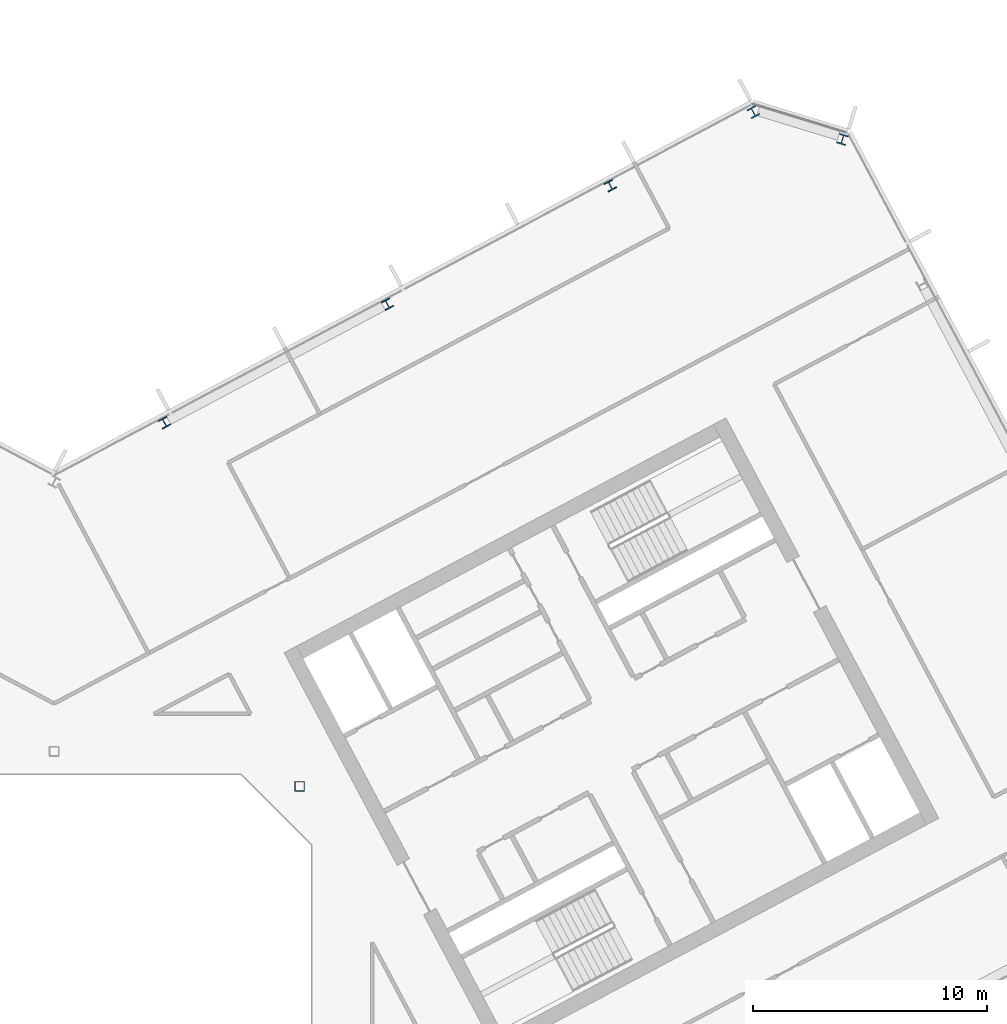
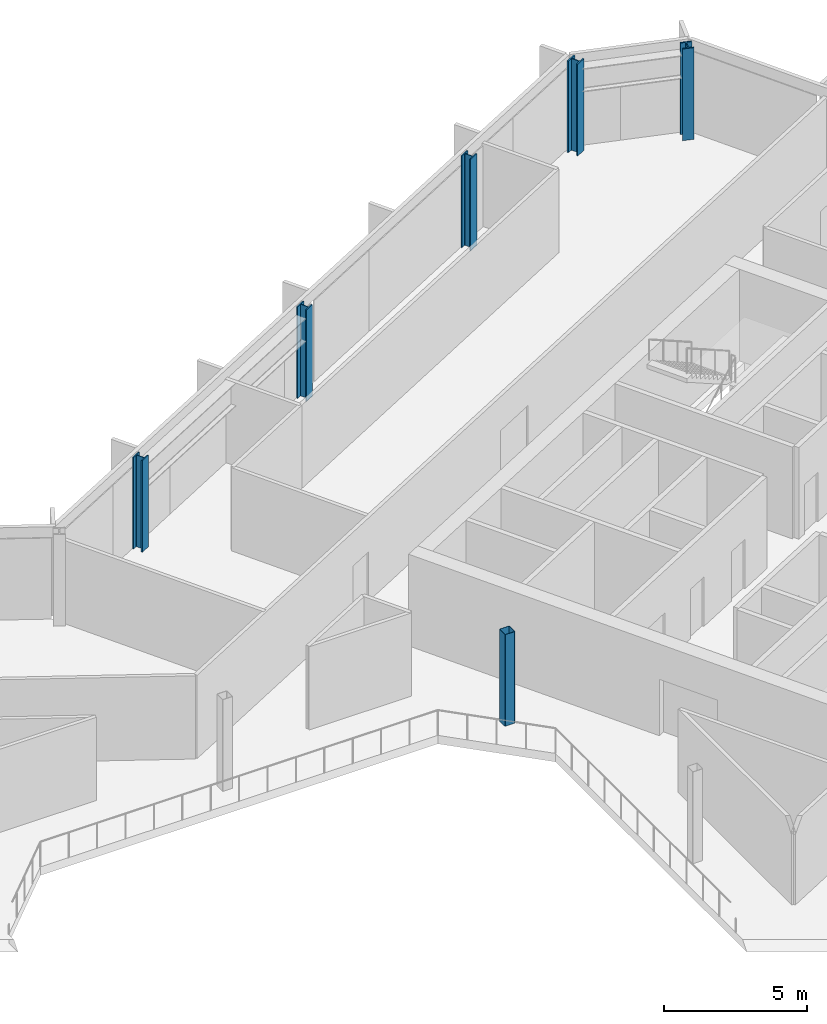
# One storey, part 6 of 26: 6 columns.
"""IFC4 building model written with IfcOpenShell, lengths in metres."""

import ifcopenshell
import ifcopenshell.guid

model = None  # the IFC model being written
_history = None  # IfcOwnerHistory: only IFC2X3 demands one
_inside = {}  # id of a spatial element -> (the spatial element, [elements in it])
_under = {}  # id of a project, library or spatial element -> (it, [spatial elements below it])
_declared = {}  # id of a project -> (the project, [libraries it declares])
_typed = {}  # id of a type object -> (the type object, [elements of that type])
_made_of = {}  # id of a material, layer set ... -> (it, [elements and type objects made of it])


def new_model(schema):
    """Start an empty IFC model of exactly this schema.

    Asked for "IFC4X3", IfcOpenShell would pick the latest addendum, in which some entities
    have other attributes; the version numbers below select the first issue.
    IFC2X3 requires an IfcOwnerHistory on every rooted entity: one is made here for all.
    """
    global model, _history
    if schema == "IFC4X3":
        model = ifcopenshell.file(schema_version=(4, 3, 0, 0))
    else:
        model = ifcopenshell.file(schema=schema)
    _inside.clear()
    _under.clear()
    _declared.clear()
    _typed.clear()
    _made_of.clear()
    _history = None
    if model.schema == "IFC2X3":
        org = make("IfcOrganization", Name="unknown")
        user = make(
            "IfcPersonAndOrganization",
            ThePerson=make("IfcPerson", FamilyName="unknown"),
            TheOrganization=org,
        )
        app = make(
            "IfcApplication",
            ApplicationDeveloper=org,
            Version="unknown",
            ApplicationFullName="unknown",
            ApplicationIdentifier="unknown",
        )
        _history = make(
            "IfcOwnerHistory",
            OwningUser=user,
            OwningApplication=app,
            ChangeAction="ADDED",
            CreationDate=0,
        )
    return model


def make(cls, **values):
    """One entity of the class cls with the attributes given. An attribute that is None is left unset."""
    return model.create_entity(
        cls, **{name: value for name, value in values.items() if value is not None}
    )


def rooted(cls, **values):
    """An entity with a GlobalId (a new one), such as an element, a storey or a relation."""
    return make(cls, GlobalId=ifcopenshell.guid.new(), OwnerHistory=_history, **values)


def si_unit(unit_type, name, prefix=None):
    """IfcSIUnit, for example si_unit("LENGTHUNIT", "METRE", prefix="MILLI")."""
    return make("IfcSIUnit", UnitType=unit_type, Prefix=prefix, Name=name)


def assignment(units):
    """IfcUnitAssignment: the units of a project."""
    return None if units is None else make("IfcUnitAssignment", Units=units)


def point(xyz):
    """IfcCartesianPoint."""
    return None if xyz is None else make("IfcCartesianPoint", Coordinates=xyz)


def direction(xyz):
    """IfcDirection."""
    return None if xyz is None else make("IfcDirection", DirectionRatios=xyz)


def frame(location, z_axis=None, x_axis=None):
    """IfcAxis2Placement3D, a coordinate frame: its origin and axes. An axis left out is left unset."""
    return make(
        "IfcAxis2Placement3D",
        Location=point(location),
        Axis=direction(z_axis),
        RefDirection=direction(x_axis),
    )


def frame_2d(location, x_axis=None):
    """IfcAxis2Placement2D, a coordinate frame in the plane: its origin and x axis."""
    return make(
        "IfcAxis2Placement2D", Location=point(location), RefDirection=direction(x_axis)
    )


def origin():
    """The frame at (0, 0, 0) with its axes left unset."""
    return frame((0.0, 0.0, 0.0))


def origin_2d():
    """The frame at (0, 0) in the plane with its x axis left unset."""
    return frame_2d((0.0, 0.0))


def place(relative_to, where):
    """IfcLocalPlacement: puts the frame where relative to a parent placement (None: the world)."""
    return make(
        "IfcLocalPlacement", PlacementRelTo=relative_to, RelativePlacement=where
    )


def context(
    kind, dimensions, precision=None, world=None, true_north=None, identifier=None
):
    """IfcGeometricRepresentationContext, for example the 3D "Model" context."""
    return make(
        "IfcGeometricRepresentationContext",
        ContextIdentifier=identifier,
        ContextType=kind,
        CoordinateSpaceDimension=dimensions,
        Precision=precision,
        WorldCoordinateSystem=world,
        TrueNorth=true_north,
    )


def subcontext(parent, identifier, kind, view, scale=None):
    """IfcGeometricRepresentationSubContext, for example "Body" below "Model"."""
    return make(
        "IfcGeometricRepresentationSubContext",
        ContextIdentifier=identifier,
        ContextType=kind,
        ParentContext=parent,
        TargetScale=scale,
        TargetView=view,
    )


def project(units=None, contexts=None):
    """IfcProject with its units and contexts."""
    return rooted(
        "IfcProject",
        Name="project",
        RepresentationContexts=contexts,
        UnitsInContext=assignment(units),
    )


def spatial(cls, under=None, at=None, **own):
    """A site, building, storey or space (cls), placed at a placement, below another one or the project."""
    s = rooted(cls, ObjectPlacement=at, **own)
    if under is not None:
        _under.setdefault(under.id(), (under, []))[1].append(s)
    return s


def profile(cls, at=None, kind="AREA", **sizes):
    """A parametric profile (cls). Its sizes go by their IFC names, for example OverallWidth=200.0."""
    return make(cls, ProfileType=kind, Position=at, **sizes)


def hollow_rectangle(**sizes):
    """IfcRectangleHollowProfileDef."""
    return profile("IfcRectangleHollowProfileDef", **sizes)


def i_section(**sizes):
    """IfcIShapeProfileDef."""
    return profile("IfcIShapeProfileDef", **sizes)


def extrude(swept, where, along, depth):
    """IfcExtrudedAreaSolid: the profile swept, set in the frame where, extruded along a direction by depth."""
    return make(
        "IfcExtrudedAreaSolid",
        SweptArea=swept,
        Position=where,
        ExtrudedDirection=direction(along),
        Depth=depth,
    )


def shape(context_of_items, identifier, shape_type, items):
    """IfcShapeRepresentation: the items that make up one representation, for example the "Body"."""
    return make(
        "IfcShapeRepresentation",
        ContextOfItems=context_of_items,
        RepresentationIdentifier=identifier,
        RepresentationType=shape_type,
        Items=items,
    )


def material(Name=None, Category=None):
    """IfcMaterial."""
    return make("IfcMaterial", Name=Name, Category=Category)


def material_profile(
    of_material, cross_section, Name=None, Category=None, Priority=None
):
    """IfcMaterialProfile: a cross section and its material."""
    return make(
        "IfcMaterialProfile",
        Name=Name,
        Material=of_material,
        Profile=cross_section,
        Priority=Priority,
        Category=Category,
    )


def profile_set(profiles, Name=None, composite=None):
    """IfcMaterialProfileSet."""
    return make(
        "IfcMaterialProfileSet",
        Name=Name,
        MaterialProfiles=profiles,
        CompositeProfile=composite,
    )


def made_of(thing, what):
    """Note that an element or type object is made of a material, layer set ...; save() writes the relation."""
    if what is not None:
        _made_of.setdefault(what.id(), (what, []))[1].append(thing)
    return thing


def type_object(cls, material=None, **own):
    """A type object (cls), such as IfcWallType, which elements share."""
    return made_of(rooted(cls, **own), material)


def element(
    cls,
    number,
    at=None,
    inside=None,
    cuts=None,
    type_object=None,
    material=None,
    context=None,
    identifier="Body",
    shape_type=None,
    held_by="IfcProductDefinitionShape",
    body=None,
    shapes=None,
    **own,
):
    """One element of the class cls, such as IfcWall. Its Tag is "e" and its number.

    at: its placement. inside: the storey or other place that contains it. cuts: it is an
    opening in that element (IfcRelVoidsElement). A single representation is given by context,
    identifier, shape_type and body (its items); several are given by shapes. held_by: the class
    of the entity that holds the representations. save() writes the other relations.
    """
    e = rooted(cls, Tag="e%d" % number, ObjectPlacement=at, **own)
    if body is not None:
        shapes = [shape(context, identifier, shape_type, body)]
    if shapes is not None:
        e.Representation = make(held_by, Representations=shapes)
    if inside is not None:
        _inside.setdefault(inside.id(), (inside, []))[1].append(e)
    if cuts is not None:
        rooted(
            "IfcRelVoidsElement", RelatingBuildingElement=cuts, RelatedOpeningElement=e
        )
    if type_object is not None:
        _typed.setdefault(type_object.id(), (type_object, []))[1].append(e)
    return made_of(e, material)


def aggregate(whole, parts):
    """IfcRelAggregates: a whole, such as a stair, and the parts it consists of."""
    return rooted("IfcRelAggregates", RelatingObject=whole, RelatedObjects=parts)


def save(model, path):
    """Write the relations noted so far, then the file.

    IfcRelAggregates (storeys below a building ...), IfcRelContainedInSpatialStructure (elements
    in a storey), IfcRelDefinesByType, IfcRelAssociatesMaterial and IfcRelDeclares: one each for
    every whole, place, type object, material and project.
    """
    for whole, parts in _under.values():
        aggregate(whole, parts)
    for where, things in _inside.values():
        rooted(
            "IfcRelContainedInSpatialStructure",
            RelatedElements=things,
            RelatingStructure=where,
        )
    for kind, things in _typed.values():
        rooted("IfcRelDefinesByType", RelatedObjects=things, RelatingType=kind)
    for what, things in _made_of.values():
        rooted("IfcRelAssociatesMaterial", RelatedObjects=things, RelatingMaterial=what)
    for by, libraries in _declared.values():
        rooted("IfcRelDeclares", RelatingContext=by, RelatedDefinitions=libraries)
    model.write(path)


model = new_model("IFC4")

# Units and contexts
model_context = context("Model", 3, precision=1e-05, world=origin(), true_north=direction((0.0, 1.0)))
body_context = subcontext(model_context, "Body", "Model", "MODEL_VIEW")
ifc_project = project(units=[si_unit("LENGTHUNIT", "METRE"), si_unit("AREAUNIT", "SQUARE_METRE"), si_unit("VOLUMEUNIT", "CUBIC_METRE"), si_unit("PLANEANGLEUNIT", "RADIAN"), si_unit("MASSUNIT", "GRAM", prefix="KILO")], contexts=[model_context])

# Site, building, storey
site_placement = place(None, origin())
site = spatial("IfcSite", under=ifc_project, at=site_placement, CompositionType="ELEMENT")
building_placement = place(site_placement, origin())
building = spatial("IfcBuilding", under=site, at=building_placement, Name="Cormorant Relay Tower", CompositionType="ELEMENT")
storey_placement = place(building_placement, frame((0.0, 0.0, 236.39990234375)))
storey = spatial("IfcBuildingStorey", under=building, at=storey_placement, Name="L52", CompositionType="ELEMENT", Elevation=236.39990234375)

# Columns
ifc_material_1 = material(Name="Steel ASTM A500 Grade C (Fy 345 MPa)", Category="steel")
ifc_material_profile_1 = material_profile(ifc_material_1, hollow_rectangle(XDim=0.406494140625, YDim=0.406494140625, WallThickness=0.0146484375, InnerFilletRadius=0.00732421875, OuterFilletRadius=0.022216796875, at=origin_2d()), Name="HSS406x406x15")
ifc_profile_set_1 = profile_set([ifc_material_profile_1], Name="Steel ASTM A500 Grade C (Fy 345 MPa)")
column_type_1 = type_object("IfcColumnType", Name="Column HSS406x406x15", PredefinedType="COLUMN", material=ifc_profile_set_1)
column_placement = place(storey_placement, frame((10.5, 10.5, 0.0), z_axis=(0.0, 0.0, 1.0), x_axis=(1.0, 0.0, 0.0)))
element("IfcColumn", 1, at=column_placement, inside=storey, type_object=column_type_1, Name="Column L52-024", PredefinedType="COLUMN", context=body_context, shape_type="SweptSolid", body=[
    extrude(hollow_rectangle(XDim=0.406494140625, YDim=0.406494140625, WallThickness=0.0146484375, InnerFilletRadius=0.00732421875, OuterFilletRadius=0.022216796875, at=origin_2d()), origin(), (0.0, 0.0, 1.0), 3.900146484375),
])
ifc_material_2 = material(Name="Steel ASTM A992 (Fy 345 MPa)", Category="steel")
ifc_material_profile_2 = material_profile(ifc_material_2, i_section(OverallWidth=0.40380859375, OverallDepth=0.406494140625, WebThickness=0.027099609375, FlangeThickness=0.043701171875, FilletRadius=0.01513671875, at=origin_2d()), Name="W360x347")
ifc_profile_set_2 = profile_set([ifc_material_profile_2], Name="Steel ASTM A992 (Fy 345 MPa)")
column_type_2 = type_object("IfcColumnType", Name="Column W360x347", PredefinedType="COLUMN", material=ifc_profile_set_2)
for number, where, z_axis, x_axis, name in (
    (2, (4.719970703125, 26.055908203125, 0.0), (0.0, 0.0, 1.0), (-0.882947592859, -0.469471562786, 0.0), "Column L52-032"),
    (3, (14.256103515625, 31.1259765625, 0.0), (0.0, 0.0, 1.0), (-0.882947592859, -0.469471562786, 0.0), "Column L52-035"),
    (4, (23.7919921875, 36.196044921875, 0.0), (0.0, 0.0, 1.0), (-0.882947592859, -0.469471562786, 0.0), "Column L52-039"),
):
    element("IfcColumn", number, at=place(storey_placement, frame(where, z_axis=z_axis, x_axis=x_axis)), inside=storey, type_object=column_type_2, Name=name, PredefinedType="COLUMN", context=body_context, shape_type="SweptSolid", body=[
        extrude(i_section(OverallWidth=0.40380859375, OverallDepth=0.406494140625, WebThickness=0.027099609375, FlangeThickness=0.043701171875, FilletRadius=0.01513671875, at=origin_2d()), origin(), (0.0, 0.0, 1.0), 3.900146484375),
    ])
ifc_material_3 = material(Name="Steel ASTM A992 (Fy 345 MPa)", Category="steel")
ifc_material_profile_3 = material_profile(ifc_material_3, i_section(OverallWidth=0.41162109375, OverallDepth=0.434326171875, WebThickness=0.035888671875, FlangeThickness=0.057373046875, FilletRadius=0.01513671875, at=origin_2d()), Name="W360x463")
ifc_profile_set_3 = profile_set([ifc_material_profile_3], Name="Steel ASTM A992 (Fy 345 MPa)")
column_type_3 = type_object("IfcColumnType", Name="Column W360x463", PredefinedType="COLUMN", material=ifc_profile_set_3)
for number, where, z_axis, x_axis, name in (
    (5, (33.720947265625, 38.173095703125, 0.0), (0.0, 0.0, 1.0), (-0.956304755963, 0.292371704723, 0.0), "Column L52-041"),
    (6, (29.905029296875, 39.340087890625, 0.0), (0.0, 0.0, 1.0), (-0.882947592859, -0.469471562786, 0.0), "Column L52-043"),
):
    element("IfcColumn", number, at=place(storey_placement, frame(where, z_axis=z_axis, x_axis=x_axis)), inside=storey, type_object=column_type_3, Name=name, PredefinedType="COLUMN", context=body_context, shape_type="SweptSolid", body=[
        extrude(i_section(OverallWidth=0.41162109375, OverallDepth=0.434326171875, WebThickness=0.035888671875, FlangeThickness=0.057373046875, FilletRadius=0.01513671875, at=origin_2d()), origin(), (0.0, 0.0, 1.0), 3.900146484375),
    ])

save(model, "model.ifc")
